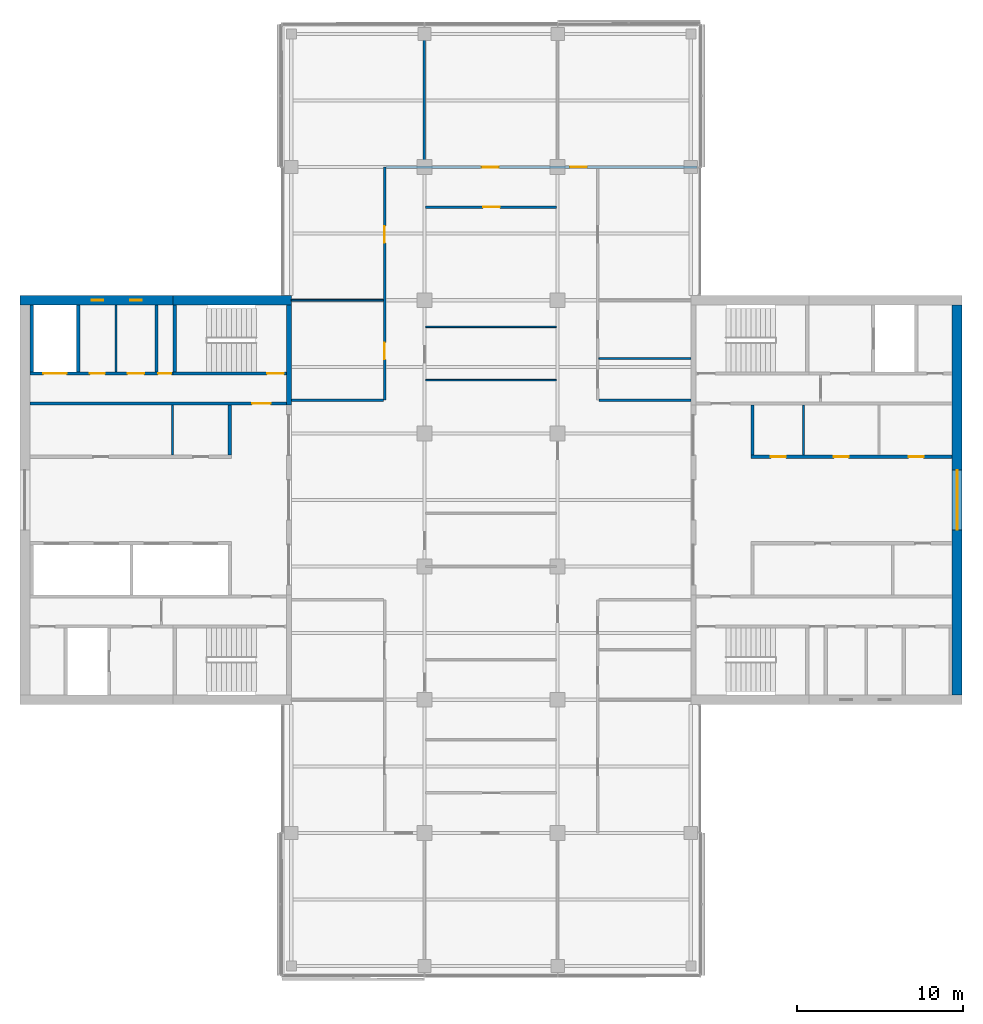
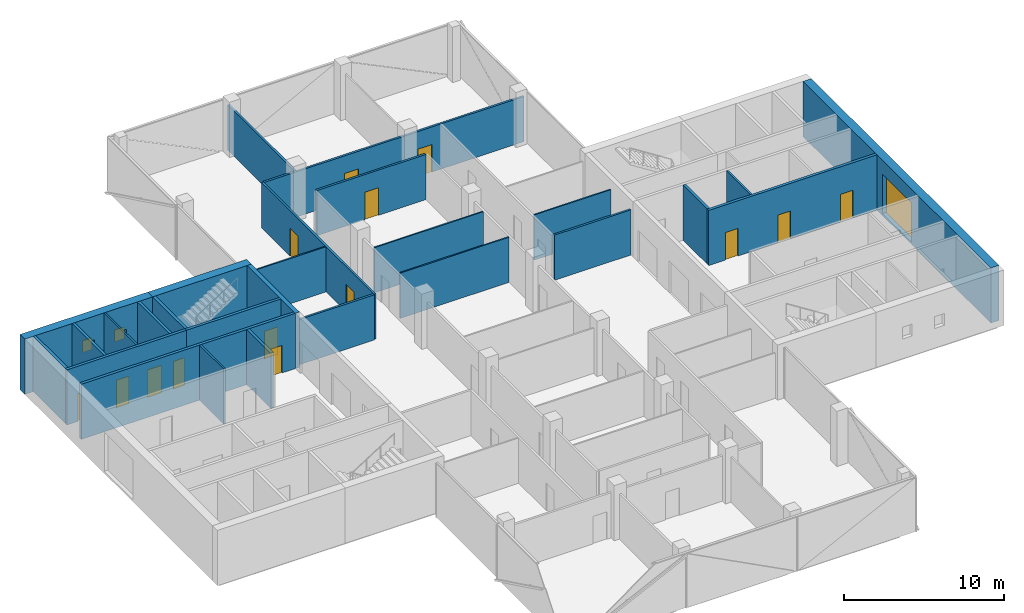
# One storey, part 11 of 15: 27 walls, 14 doors, 3 windows, 17 openings.
"""IFC4 building model written with IfcOpenShell, lengths in metres."""

from ifc_helpers import new_model, si_unit, direction, frame, frame_2d, origin, place, context, subcontext, project, spatial, rectangle, extrude, material, layer, layer_set, constituent, constituent_set, type_object, element, fill, save


model = new_model("IFC4")

# Units and contexts
model_context = context("Model", 3, precision=1e-05, world=origin(), true_north=direction((0.0, 1.0)))
body_context = subcontext(model_context, "Body", "Model", "MODEL_VIEW")
ifc_project = project(units=[si_unit("LENGTHUNIT", "METRE"), si_unit("AREAUNIT", "SQUARE_METRE"), si_unit("VOLUMEUNIT", "CUBIC_METRE"), si_unit("PLANEANGLEUNIT", "RADIAN"), si_unit("MASSUNIT", "GRAM", prefix="KILO")], contexts=[model_context])

# Site, building, storey
site_placement = place(None, origin())
site = spatial("IfcSite", under=ifc_project, at=site_placement, CompositionType="ELEMENT")
building_placement = place(site_placement, origin())
building = spatial("IfcBuilding", under=site, at=building_placement, Name="Crosswind Convention Tower", CompositionType="ELEMENT")
storey_placement = place(building_placement, frame((0.0, 0.0, 199.89990234375)))
storey = spatial("IfcBuildingStorey", under=building, at=storey_placement, Name="L42", CompositionType="ELEMENT", Elevation=199.89990234375)

# Walls
ifc_material_1 = material(Name="Concrete blockwork", Category="masonry")
ifc_layer_1 = layer(ifc_material_1, 0.199951171875)
ifc_layer_set_1 = layer_set([ifc_layer_1], Name="Blockwork partition wall 200")
wall_type_1 = type_object("IfcWallType", Name="Blockwork partition wall 200", PredefinedType="PARTITIONING", material=ifc_layer_set_1)
wall_1_placement = place(storey_placement, frame((104.89990234375, 111.699951171875, 0.0), z_axis=(0.0, 0.0, 1.0), x_axis=(0.0, -1.0, 0.0)))
element("IfcWall", 1, at=wall_1_placement, inside=storey, type_object=wall_type_1, Name="Wall MRSE W L42", PredefinedType="PARTITIONING", context=body_context, shape_type="SweptSolid", body=[
    extrude(rectangle(XDim=4.0, YDim=0.199951171875, at=frame_2d((2.0, 0.0))), origin(), (0.0, 0.0, 1.0), 4.2001953125),
])
ifc_material_2 = material(Name="Concrete C50/60", Category="concrete")
ifc_layer_2 = layer(ifc_material_2, 0.300048828125)
ifc_layer_set_2 = layer_set([ifc_layer_2], Name="Concrete C50/60")
wall_type_2 = type_object("IfcWallType", Name="Concrete inner core wall 300", PredefinedType="SHEAR", material=ifc_layer_set_2)
wall_2_placement = place(storey_placement, frame((112.85009765625, 111.699951171875, 0.0), z_axis=(0.0, 0.0, 1.0), x_axis=(0.0, -1.0, 0.0)))
element("IfcWall", 2, at=wall_2_placement, inside=storey, type_object=wall_type_2, Name="Wall EM W L42", PredefinedType="SHEAR", context=body_context, shape_type="SweptSolid", body=[
    extrude(rectangle(XDim=6.0, YDim=0.300048828125, at=frame_2d((3.0, 0.0))), origin(), (0.0, 0.0, 1.0), 4.2001953125),
])
ifc_layer_3 = layer(ifc_material_2, 0.199951171875)
ifc_layer_set_3 = layer_set([ifc_layer_3], Name="Concrete C50/60")
wall_type_3 = type_object("IfcWallType", Name="Concrete shaft and stair wall 200", PredefinedType="SHEAR", material=ifc_layer_set_3)
wall_3_placement = place(storey_placement, frame((140.699951171875, 102.699951171875, 0.0), z_axis=(0.0, 0.0, 1.0), x_axis=(0.0, 1.0, 0.0)))
element("IfcWall", 3, at=wall_3_placement, inside=storey, type_object=wall_type_3, Name="Wall RPEND E L42", PredefinedType="SHEAR", context=body_context, shape_type="SweptSolid", body=[
    extrude(rectangle(XDim=3.0, YDim=0.199951171875, at=frame_2d((1.5, 0.0))), origin(), (0.0, 0.0, 1.0), 4.2001953125),
])

# Wall, openings, doors
wall_4_placement = place(storey_placement, frame((140.60009765625, 102.60009765625, 0.0), z_axis=(0.0, 0.0, 1.0), x_axis=(1.0, 0.0, 0.0)))
wall_4 = element("IfcWall", 4, at=wall_4_placement, inside=storey, type_object=wall_type_3, Name="Wall RPFRONT E L42", PredefinedType="SHEAR", context=body_context, shape_type="SweptSolid", body=[
    extrude(rectangle(XDim=12.099853515625, YDim=0.199951171875, at=frame_2d((6.0498046875, 0.0))), origin(), (0.0, 0.0, 1.0), 4.2001953125),
])
opening_1_placement = place(wall_4_placement, frame((1.206298828125, 0.0, 0.0)))
opening_1 = element("IfcOpeningElement", 5, at=opening_1_placement, cuts=wall_4, Name="Opening D106", PredefinedType="OPENING", context=body_context, shape_type="SweptSolid", body=[
    extrude(rectangle(XDim=0.89990234375, YDim=2.10009765625, at=frame_2d((0.449951171875, 1.050048828125))), frame((0.0, 0.10986328125, 0.0), z_axis=(0.0, -1.0, 0.0), x_axis=(1.0, 0.0, 0.0)), (0.0, 0.0, 1.0), 0.219970703125),
])
opening_2_placement = place(wall_4_placement, frame((4.986083984375, 0.0, 0.0)))
opening_2 = element("IfcOpeningElement", 6, at=opening_2_placement, cuts=wall_4, Name="Opening D106", PredefinedType="OPENING", context=body_context, shape_type="SweptSolid", body=[
    extrude(rectangle(XDim=0.89990234375, YDim=2.10009765625, at=frame_2d((0.449951171875, 1.050048828125))), frame((0.0, 0.10986328125, 0.0), z_axis=(0.0, -1.0, 0.0), x_axis=(1.0, 0.0, 0.0)), (0.0, 0.0, 1.0), 0.219970703125),
])
opening_3_placement = place(wall_4_placement, frame((9.479736328125, 0.0, 0.0)))
opening_3 = element("IfcOpeningElement", 7, at=opening_3_placement, cuts=wall_4, Name="Opening D106", PredefinedType="OPENING", context=body_context, shape_type="SweptSolid", body=[
    extrude(rectangle(XDim=0.89990234375, YDim=2.10009765625, at=frame_2d((0.449951171875, 1.050048828125))), frame((0.0, 0.10986328125, 0.0), z_axis=(0.0, -1.0, 0.0), x_axis=(1.0, 0.0, 0.0)), (0.0, 0.0, 1.0), 0.219970703125),
])
ifc_material_3 = material(Name="Timber door", Category="wood")
door_type_1 = type_object("IfcDoorType", Name="Single leaf door 900x2100", OperationType="NOTDEFINED", PredefinedType="DOOR", material=ifc_material_3)
door_1_placement = place(opening_1_placement, origin())
door_1 = element("IfcDoor", 8, at=door_1_placement, inside=storey, type_object=door_type_1, Name="Door to meeting room L42", ObjectType="D106", OperationType="SINGLE_SWING_RIGHT", OverallHeight=2.10009765625, OverallWidth=0.89990234375, PredefinedType="DOOR", context=body_context, shape_type="SweptSolid", body=[
    extrude(rectangle(XDim=0.89990234375, YDim=2.10009765625, at=frame_2d((0.449951171875, 1.050048828125))), frame((0.0, 0.02490234375, 0.0), z_axis=(0.0, -1.0, 0.0), x_axis=(1.0, 0.0, 0.0)), (0.0, 0.0, 1.0), 0.050048828125),
])
fill(opening_1, door_1)
door_2_placement = place(opening_2_placement, origin())
door_2 = element("IfcDoor", 9, at=door_2_placement, inside=storey, type_object=door_type_1, Name="Door to pantry L42", ObjectType="D106", OperationType="SINGLE_SWING_RIGHT", OverallHeight=2.10009765625, OverallWidth=0.89990234375, PredefinedType="DOOR", context=body_context, shape_type="SweptSolid", body=[
    extrude(rectangle(XDim=0.89990234375, YDim=2.10009765625, at=frame_2d((0.449951171875, 1.050048828125))), frame((0.0, 0.02490234375, 0.0), z_axis=(0.0, -1.0, 0.0), x_axis=(1.0, 0.0, 0.0)), (0.0, 0.0, 1.0), 0.050048828125),
])
fill(opening_2, door_2)
door_3_placement = place(opening_3_placement, origin())
door_3 = element("IfcDoor", 10, at=door_3_placement, inside=storey, type_object=door_type_1, Name="Door to telecoms room L42", ObjectType="D106", OperationType="SINGLE_SWING_RIGHT", OverallHeight=2.10009765625, OverallWidth=0.89990234375, PredefinedType="DOOR", context=body_context, shape_type="SweptSolid", body=[
    extrude(rectangle(XDim=0.89990234375, YDim=2.10009765625, at=frame_2d((0.449951171875, 1.050048828125))), frame((0.0, 0.02490234375, 0.0), z_axis=(0.0, -1.0, 0.0), x_axis=(1.0, 0.0, 0.0)), (0.0, 0.0, 1.0), 0.050048828125),
])
fill(opening_3, door_3)

# Wall
wall_5_placement = place(storey_placement, frame((109.300048828125, 105.699951171875, 0.0), z_axis=(0.0, 0.0, 1.0), x_axis=(0.0, -1.0, 0.0)))
element("IfcWall", 11, at=wall_5_placement, inside=storey, type_object=wall_type_3, Name="Wall RMEND W L42", PredefinedType="SHEAR", context=body_context, shape_type="SweptSolid", body=[
    extrude(rectangle(XDim=3.0, YDim=0.199951171875, at=frame_2d((1.5, 0.0))), origin(), (0.0, 0.0, 1.0), 4.2001953125),
])

# Wall, opening, door
wall_6_placement = place(storey_placement, frame((112.699951171875, 105.800048828125, 0.0), z_axis=(0.0, 0.0, 1.0), x_axis=(-1.0, 0.0, 0.0)))
wall_6 = element("IfcWall", 12, at=wall_6_placement, inside=storey, type_object=wall_type_3, Name="Wall HM W L42", PredefinedType="SHEAR", context=body_context, shape_type="SweptSolid", body=[
    extrude(rectangle(XDim=15.39990234375, YDim=0.199951171875, at=frame_2d((7.699951171875, 0.0))), origin(), (0.0, 0.0, 1.0), 4.2001953125),
])
opening_4_placement = place(wall_6_placement, frame((0.949951171875, 0.0, 0.0)))
opening_4 = element("IfcOpeningElement", 13, at=opening_4_placement, cuts=wall_6, Name="Opening D104", PredefinedType="OPENING", context=body_context, shape_type="SweptSolid", body=[
    extrude(rectangle(XDim=1.10009765625, YDim=2.10009765625, at=frame_2d((0.550048828125, 1.050048828125))), frame((0.0, 0.10986328125, 0.0), z_axis=(0.0, -1.0, 0.0), x_axis=(1.0, 0.0, 0.0)), (0.0, 0.0, 1.0), 0.219970703125),
])
ifc_material_4 = material(Name="Steel fire door", Category="steel")
door_type_2 = type_object("IfcDoorType", Name="Fire-rated single door 1100x2100", OperationType="NOTDEFINED", PredefinedType="DOOR", material=ifc_material_4)
door_4_placement = place(opening_4_placement, origin())
door_4 = element("IfcDoor", 14, at=door_4_placement, inside=storey, type_object=door_type_2, Name="Corridor door L42", ObjectType="D104", OperationType="SINGLE_SWING_LEFT", OverallHeight=2.10009765625, OverallWidth=1.10009765625, PredefinedType="DOOR", context=body_context, shape_type="SweptSolid", body=[
    extrude(rectangle(XDim=1.10009765625, YDim=2.10009765625, at=frame_2d((0.550048828125, 1.050048828125))), frame((0.0, 0.02490234375, 0.0), z_axis=(0.0, -1.0, 0.0), x_axis=(1.0, 0.0, 0.0)), (0.0, 0.0, 1.0), 0.050048828125),
])
fill(opening_4, door_4)

# Walls
for number, where, z_axis, x_axis, name in (
    (15, (106.0, 111.699951171875, 0.0), (0.0, 0.0, 1.0), (0.0, -1.0, 0.0), "Wall MSE W L42"),
    (16, (100.199951171875, 111.699951171875, 0.0), (0.0, 0.0, 1.0), (0.0, -1.0, 0.0), "Wall MFSW W L42"),
    (17, (97.39990234375, 111.699951171875, 0.0), (0.0, 0.0, 1.0), (0.0, -1.0, 0.0), "Wall MFSE W L42"),
):
    element("IfcWall", number, at=place(storey_placement, frame(where, z_axis=z_axis, x_axis=x_axis)), inside=storey, type_object=wall_type_3, Name=name, PredefinedType="SHEAR", context=body_context, shape_type="SweptSolid", body=[
        extrude(rectangle(XDim=4.0, YDim=0.199951171875, at=frame_2d((2.0, 0.0))), origin(), (0.0, 0.0, 1.0), 4.2001953125),
    ])

# Wall, opening, door
wall_7_placement = place(storey_placement, frame((112.699951171875, 107.60009765625, 0.0), z_axis=(0.0, 0.0, 1.0), x_axis=(-1.0, 0.0, 0.0)))
wall_7 = element("IfcWall", 18, at=wall_7_placement, inside=storey, type_object=wall_type_3, Name="Wall MCW W L42", PredefinedType="SHEAR", context=body_context, shape_type="SweptSolid", body=[
    extrude(rectangle(XDim=6.800048828125, YDim=0.199951171875, at=frame_2d((3.39990234375, 0.0))), origin(), (0.0, 0.0, 1.0), 4.2001953125),
])
opening_5_placement = place(wall_7_placement, frame((0.14990234375, 0.0, 0.0)))
opening_5 = element("IfcOpeningElement", 19, at=opening_5_placement, cuts=wall_7, Name="Opening D103", PredefinedType="OPENING", context=body_context, shape_type="SweptSolid", body=[
    extrude(rectangle(XDim=1.0, YDim=2.10009765625, at=frame_2d((0.5, 1.050048828125))), frame((0.0, 0.10986328125, 0.0), z_axis=(0.0, -1.0, 0.0), x_axis=(1.0, 0.0, 0.0)), (0.0, 0.0, 1.0), 0.219970703125),
])
door_type_3 = type_object("IfcDoorType", Name="Fire-rated single door 1000x2100", OperationType="NOTDEFINED", PredefinedType="DOOR", material=ifc_material_4)
door_5_placement = place(opening_5_placement, frame((1.0, 0.0, 0.0), z_axis=(0.0, 0.0, 1.0), x_axis=(-1.0, 0.0, 0.0)))
door_5 = element("IfcDoor", 20, at=door_5_placement, inside=storey, type_object=door_type_3, Name="Stair ST4 door L42", ObjectType="D103", OperationType="SINGLE_SWING_RIGHT", OverallHeight=2.10009765625, OverallWidth=1.0, PredefinedType="DOOR", context=body_context, shape_type="SweptSolid", body=[
    extrude(rectangle(XDim=1.0, YDim=2.10009765625, at=frame_2d((0.5, 1.050048828125))), frame((0.0, 0.02490234375, 0.0), z_axis=(0.0, -1.0, 0.0), x_axis=(1.0, 0.0, 0.0)), (0.0, 0.0, 1.0), 0.050048828125),
])
fill(opening_5, door_5)

# Wall, openings, doors
wall_8_placement = place(storey_placement, frame((105.89990234375, 107.60009765625, 0.0), z_axis=(0.0, 0.0, 1.0), x_axis=(-1.0, 0.0, 0.0)))
wall_8 = element("IfcWall", 21, at=wall_8_placement, inside=storey, type_object=wall_type_3, Name="Wall MCX W L42", PredefinedType="SHEAR", context=body_context, shape_type="SweptSolid", body=[
    extrude(rectangle(XDim=8.599853515625, YDim=0.199951171875, at=frame_2d((4.2998046875, 0.0))), origin(), (0.0, 0.0, 1.0), 4.2001953125),
])
opening_6_placement = place(wall_8_placement, frame((0.10009765625, 0.0, 0.0)))
opening_6 = element("IfcOpeningElement", 22, at=opening_6_placement, cuts=wall_8, Name="Opening D105", PredefinedType="OPENING", context=body_context, shape_type="SweptSolid", body=[
    extrude(rectangle(XDim=0.800048828125, YDim=2.10009765625, at=frame_2d((0.39990234375, 1.050048828125))), frame((0.0, 0.10986328125, 0.0), z_axis=(0.0, -1.0, 0.0), x_axis=(1.0, 0.0, 0.0)), (0.0, 0.0, 1.0), 0.219970703125),
])
opening_7_placement = place(wall_8_placement, frame((1.73876953125, 0.0, 0.0)))
opening_7 = element("IfcOpeningElement", 23, at=opening_7_placement, cuts=wall_8, Name="Opening D103", PredefinedType="OPENING", context=body_context, shape_type="SweptSolid", body=[
    extrude(rectangle(XDim=1.0, YDim=2.10009765625, at=frame_2d((0.5, 1.050048828125))), frame((0.0, 0.10986328125, 0.0), z_axis=(0.0, -1.0, 0.0), x_axis=(1.0, 0.0, 0.0)), (0.0, 0.0, 1.0), 0.219970703125),
])
opening_8_placement = place(wall_8_placement, frame((4.101318359375, 0.0, 0.0)))
opening_8 = element("IfcOpeningElement", 24, at=opening_8_placement, cuts=wall_8, Name="Opening D106", PredefinedType="OPENING", context=body_context, shape_type="SweptSolid", body=[
    extrude(rectangle(XDim=0.89990234375, YDim=2.10009765625, at=frame_2d((0.449951171875, 1.050048828125))), frame((0.0, 0.10986328125, 0.0), z_axis=(0.0, -1.0, 0.0), x_axis=(1.0, 0.0, 0.0)), (0.0, 0.0, 1.0), 0.219970703125),
])
opening_9_placement = place(wall_8_placement, frame((6.39990234375, 0.0, 0.0)))
opening_9 = element("IfcOpeningElement", 25, at=opening_9_placement, cuts=wall_8, Name="Opening LD2", PredefinedType="OPENING", context=body_context, shape_type="SweptSolid", body=[
    extrude(rectangle(XDim=1.39990234375, YDim=2.10009765625, at=frame_2d((0.699951171875, 1.050048828125))), frame((0.0, 0.10986328125, 0.0), z_axis=(0.0, -1.0, 0.0), x_axis=(1.0, 0.0, 0.0)), (0.0, 0.0, 1.0), 0.219970703125),
])
door_6_placement = place(opening_7_placement, frame((1.0, 0.0, 0.0), z_axis=(0.0, 0.0, 1.0), x_axis=(-1.0, 0.0, 0.0)))
door_6 = element("IfcDoor", 26, at=door_6_placement, inside=storey, type_object=door_type_3, Name="Door to accessible wc L42", ObjectType="D103", OperationType="SINGLE_SWING_LEFT", OverallHeight=2.10009765625, OverallWidth=1.0, PredefinedType="DOOR", context=body_context, shape_type="SweptSolid", body=[
    extrude(rectangle(XDim=1.0, YDim=2.10009765625, at=frame_2d((0.5, 1.050048828125))), frame((0.0, 0.02490234375, 0.0), z_axis=(0.0, -1.0, 0.0), x_axis=(1.0, 0.0, 0.0)), (0.0, 0.0, 1.0), 0.050048828125),
])
fill(opening_7, door_6)
ifc_material_5 = material(Name="Stainless steel", Category="steel")
door_type_4 = type_object("IfcDoorType", Name="Lift landing door 1400x2100", OperationType="DOUBLE_DOOR_SLIDING", PredefinedType="DOOR", material=ifc_material_5)
door_7_placement = place(opening_9_placement, origin())
door_7 = element("IfcDoor", 27, at=door_7_placement, inside=storey, type_object=door_type_4, Name="Landing door SV2 L42", ObjectType="LD2", OperationType="DOUBLE_DOOR_SLIDING", OverallHeight=2.10009765625, OverallWidth=1.39990234375, PredefinedType="DOOR", context=body_context, shape_type="SweptSolid", body=[
    extrude(rectangle(XDim=1.39990234375, YDim=2.10009765625, at=frame_2d((0.699951171875, 1.050048828125))), frame((0.0, 0.02490234375, 0.0), z_axis=(0.0, -1.0, 0.0), x_axis=(1.0, 0.0, 0.0)), (0.0, 0.0, 1.0), 0.050048828125),
])
fill(opening_9, door_7)
door_type_5 = type_object("IfcDoorType", Name="Riser access door 800x2100", OperationType="NOTDEFINED", PredefinedType="DOOR", material=ifc_material_4)
door_8_placement = place(opening_6_placement, frame((0.800048828125, 0.0, 0.0), z_axis=(0.0, 0.0, 1.0), x_axis=(-1.0, 0.0, 0.0)))
door_8 = element("IfcDoor", 28, at=door_8_placement, inside=storey, type_object=door_type_5, Name="Riser door L42", ObjectType="D105", OperationType="SINGLE_SWING_LEFT", OverallHeight=2.10009765625, OverallWidth=0.800048828125, PredefinedType="DOOR", context=body_context, shape_type="SweptSolid", body=[
    extrude(rectangle(XDim=0.800048828125, YDim=2.10009765625, at=frame_2d((0.39990234375, 1.050048828125))), frame((0.0, 0.02490234375, 0.0), z_axis=(0.0, -1.0, 0.0), x_axis=(1.0, 0.0, 0.0)), (0.0, 0.0, 1.0), 0.050048828125),
])
fill(opening_6, door_8)
door_9_placement = place(opening_8_placement, frame((0.89990234375, 0.0, 0.0), z_axis=(0.0, 0.0, 1.0), x_axis=(-1.0, 0.0, 0.0)))
door_9 = element("IfcDoor", 29, at=door_9_placement, inside=storey, type_object=door_type_1, Name="Door to wc L42", ObjectType="D106", OperationType="SINGLE_SWING_LEFT", OverallHeight=2.10009765625, OverallWidth=0.89990234375, PredefinedType="DOOR", context=body_context, shape_type="SweptSolid", body=[
    extrude(rectangle(XDim=0.89990234375, YDim=2.10009765625, at=frame_2d((0.449951171875, 1.050048828125))), frame((0.0, 0.02490234375, 0.0), z_axis=(0.0, -1.0, 0.0), x_axis=(1.0, 0.0, 0.0)), (0.0, 0.0, 1.0), 0.050048828125),
])
fill(opening_8, door_9)

# Walls
ifc_material_6 = material(Name="Gypsum plasterboard partition", Category="gypsum")
ifc_layer_4 = layer(ifc_material_6, 0.125)
ifc_layer_set_4 = layer_set([ifc_layer_4], Name="Drywall partition wall 125")
wall_type_4 = type_object("IfcWallType", Name="Drywall partition wall 125", PredefinedType="PARTITIONING", material=ifc_layer_set_4)
for number, where, z_axis, x_axis, name in (
    (30, (143.77490234375, 102.699951171875, 0.0), (0.0, 0.0, 1.0), (0.0, 1.0, 0.0), "Wall RPP1 E L42"),
    (31, (105.867919921875, 105.699951171875, 0.0), (0.0, 0.0, 1.0), (0.0, -1.0, 0.0), "Wall RMP1 W L42"),
):
    element("IfcWall", number, at=place(storey_placement, frame(where, z_axis=z_axis, x_axis=x_axis)), inside=storey, type_object=wall_type_4, Name=name, PredefinedType="PARTITIONING", context=body_context, shape_type="SweptSolid", body=[
        extrude(rectangle(XDim=3.0, YDim=0.125, at=frame_2d((1.5, 0.0))), origin(), (0.0, 0.0, 1.0), 4.2001953125),
    ])
wall_9_placement = place(storey_placement, frame((102.4599609375, 111.699951171875, 0.0), z_axis=(0.0, 0.0, 1.0), x_axis=(0.0, -1.0, 0.0)))
element("IfcWall", 32, at=wall_9_placement, inside=storey, type_object=wall_type_4, Name="Wall MWP1 W L42", PredefinedType="PARTITIONING", context=body_context, shape_type="SweptSolid", body=[
    extrude(rectangle(XDim=4.0, YDim=0.125, at=frame_2d((2.0, 0.0))), origin(), (0.0, 0.0, 1.0), 4.2001953125),
])
ifc_material_7 = material(Name="Plasterboard partition", Category="gypsum")
ifc_layer_5 = layer(ifc_material_7, 0.10009765625)
ifc_layer_set_5 = layer_set([ifc_layer_5], Name="PARTITION 100 METAL STUD")
wall_type_5 = type_object("IfcWallType", Name="PARTITION 100 METAL STUD", PredefinedType="PARTITIONING", material=ifc_layer_set_5)
wall_10_placement = place(storey_placement, frame((121.074951171875, 107.199951171875, 0.0), z_axis=(0.0, 0.0, 1.0), x_axis=(1.0, 0.0, 0.0)))
element("IfcWall", 33, at=wall_10_placement, inside=storey, type_object=wall_type_5, Name="Partition wall WT40", PredefinedType="PARTITIONING", context=body_context, shape_type="SweptSolid", body=[
    extrude(rectangle(XDim=7.85009765625, YDim=0.10009765625, at=frame_2d((3.925048828125, 0.0))), origin(), (0.0, 0.0, 1.0), 3.43994140625),
])
wall_11_placement = place(storey_placement, frame((131.47509765625, 108.5, 0.0), z_axis=(0.0, 0.0, 1.0), x_axis=(1.0, 0.0, 0.0)))
element("IfcWall", 34, at=wall_11_placement, inside=storey, type_object=wall_type_5, Name="Partition wall WT40", PredefinedType="PARTITIONING", context=body_context, shape_type="SweptSolid", body=[
    extrude(rectangle(XDim=5.52490234375, YDim=0.10009765625, at=frame_2d((2.762451171875, 0.0))), origin(), (0.0, 0.0, 1.0), 3.43994140625),
])
wall_12_placement = place(storey_placement, frame((121.074951171875, 110.39990234375, 0.0), z_axis=(0.0, 0.0, 1.0), x_axis=(1.0, 0.0, 0.0)))
element("IfcWall", 35, at=wall_12_placement, inside=storey, type_object=wall_type_5, Name="Partition wall WT40", PredefinedType="PARTITIONING", context=body_context, shape_type="SweptSolid", body=[
    extrude(rectangle(XDim=7.85009765625, YDim=0.10009765625, at=frame_2d((3.925048828125, 0.0))), origin(), (0.0, 0.0, 1.0), 3.43994140625),
])
wall_13_placement = place(storey_placement, frame((113.0, 112.0, 0.0), z_axis=(0.0, 0.0, 1.0), x_axis=(1.0, 0.0, 0.0)))
element("IfcWall", 36, at=wall_13_placement, inside=storey, type_object=wall_type_5, Name="Partition wall WT40", PredefinedType="PARTITIONING", context=body_context, shape_type="SweptSolid", body=[
    extrude(rectangle(XDim=5.52490234375, YDim=0.10009765625, at=frame_2d((2.762451171875, 0.0))), origin(), (0.0, 0.0, 1.0), 3.43994140625),
])

# Wall, openings, doors
ifc_material_8 = material(Name="Fire-board partition with mineral wool", Category="gypsum")
ifc_layer_6 = layer(ifc_material_8, 0.14990234375)
ifc_layer_set_6 = layer_set([ifc_layer_6], Name="TENANCY WALL 150 TWO-HOUR BOARD")
wall_type_6 = type_object("IfcWallType", Name="TENANCY WALL 150 TWO-HOUR BOARD", PredefinedType="PARTITIONING", material=ifc_layer_set_6)
wall_14_placement = place(storey_placement, frame((118.60009765625, 106.0, 0.0), z_axis=(0.0, 0.0, 1.0), x_axis=(0.0, 1.0, 0.0)))
wall_14 = element("IfcWall", 37, at=wall_14_placement, inside=storey, type_object=wall_type_6, Name="Tenancy wall WT41", PredefinedType="PARTITIONING", context=body_context, shape_type="SweptSolid", body=[
    extrude(rectangle(XDim=14.0, YDim=0.14990234375, at=frame_2d((7.0, 0.0))), origin(), (0.0, 0.0, 1.0), 3.43994140625),
])
opening_10_placement = place(wall_14_placement, frame((2.449951171875, 0.0, 0.0)))
opening_10 = element("IfcOpeningElement", 38, at=opening_10_placement, cuts=wall_14, Name="Opening L42-56", PredefinedType="OPENING", context=body_context, shape_type="SweptSolid", body=[
    extrude(rectangle(XDim=1.0, YDim=2.10009765625, at=frame_2d((0.5, 1.050048828125))), frame((0.0, 0.0849609375, 0.0), z_axis=(0.0, -1.0, 0.0), x_axis=(1.0, 0.0, 0.0)), (0.0, 0.0, 1.0), 0.169921875),
])
opening_11_placement = place(wall_14_placement, frame((9.449951171875, 0.0, 0.0)))
opening_11 = element("IfcOpeningElement", 39, at=opening_11_placement, cuts=wall_14, Name="Opening L42-57", PredefinedType="OPENING", context=body_context, shape_type="SweptSolid", body=[
    extrude(rectangle(XDim=1.0, YDim=2.10009765625, at=frame_2d((0.5, 1.050048828125))), frame((0.0, 0.0849609375, 0.0), z_axis=(0.0, -1.0, 0.0), x_axis=(1.0, 0.0, 0.0)), (0.0, 0.0, 1.0), 0.169921875),
])
ifc_material_9 = material(Name="Timber fire door", Category="wood")
door_type_6 = type_object("IfcDoorType", Name="TENANCY ENTRANCE DOOR 1000X2100 FD30S", OperationType="NOTDEFINED", PredefinedType="DOOR", material=ifc_material_9)
door_10_placement = place(opening_10_placement, origin())
door_10 = element("IfcDoor", 40, at=door_10_placement, inside=storey, type_object=door_type_6, Name="Door L42-56", ObjectType="D41", OperationType="SINGLE_SWING_LEFT", OverallHeight=2.10009765625, OverallWidth=1.0, PredefinedType="DOOR", context=body_context, shape_type="SweptSolid", body=[
    extrude(rectangle(XDim=1.0, YDim=2.10009765625, at=frame_2d((0.5, 1.050048828125))), frame((0.0, 0.02490234375, 0.0), z_axis=(0.0, -1.0, 0.0), x_axis=(1.0, 0.0, 0.0)), (0.0, 0.0, 1.0), 0.050048828125),
])
fill(opening_10, door_10)
door_11_placement = place(opening_11_placement, origin())
door_11 = element("IfcDoor", 41, at=door_11_placement, inside=storey, type_object=door_type_6, Name="Door L42-57", ObjectType="D41", OperationType="SINGLE_SWING_LEFT", OverallHeight=2.10009765625, OverallWidth=1.0, PredefinedType="DOOR", context=body_context, shape_type="SweptSolid", body=[
    extrude(rectangle(XDim=1.0, YDim=2.10009765625, at=frame_2d((0.5, 1.050048828125))), frame((0.0, 0.02490234375, 0.0), z_axis=(0.0, -1.0, 0.0), x_axis=(1.0, 0.0, 0.0)), (0.0, 0.0, 1.0), 0.050048828125),
])
fill(opening_11, door_11)

# Walls
wall_15_placement = place(storey_placement, frame((121.0, 120.074951171875, 0.0), z_axis=(0.0, 0.0, 1.0), x_axis=(0.0, 1.0, 0.0)))
element("IfcWall", 42, at=wall_15_placement, inside=storey, type_object=wall_type_6, Name="Tenancy wall WT41", PredefinedType="PARTITIONING", context=body_context, shape_type="SweptSolid", body=[
    extrude(rectangle(XDim=8.295166015625, YDim=0.14990234375, at=frame_2d((4.1474609375, 0.0))), origin(), (0.0, 0.0, 1.0), 3.43994140625),
])
for number, where, z_axis, x_axis, name in (
    (43, (113.0, 106.0, 0.0), (0.0, 0.0, 1.0), (1.0, 0.0, 0.0), "Tenancy wall WT41"),
    (44, (131.47509765625, 106.0, 0.0), (0.0, 0.0, 1.0), (1.0, 0.0, 0.0), "Tenancy wall WT41"),
):
    element("IfcWall", number, at=place(storey_placement, frame(where, z_axis=z_axis, x_axis=x_axis)), inside=storey, type_object=wall_type_6, Name=name, PredefinedType="PARTITIONING", context=body_context, shape_type="SweptSolid", body=[
        extrude(rectangle(XDim=5.52490234375, YDim=0.14990234375, at=frame_2d((2.762451171875, 0.0))), origin(), (0.0, 0.0, 1.0), 3.43994140625),
    ])

# Wall, opening, door
wall_16_placement = place(storey_placement, frame((121.074951171875, 117.60009765625, 0.0), z_axis=(0.0, 0.0, 1.0), x_axis=(1.0, 0.0, 0.0)))
wall_16 = element("IfcWall", 45, at=wall_16_placement, inside=storey, type_object=wall_type_6, Name="Tenancy wall WT41", PredefinedType="PARTITIONING", context=body_context, shape_type="SweptSolid", body=[
    extrude(rectangle(XDim=7.85009765625, YDim=0.14990234375, at=frame_2d((3.925048828125, 0.0))), origin(), (0.0, 0.0, 1.0), 3.43994140625),
])
opening_12_placement = place(wall_16_placement, frame((3.449951171875, 0.0, 0.0)))
opening_12 = element("IfcOpeningElement", 46, at=opening_12_placement, cuts=wall_16, Name="Opening L42-70", PredefinedType="OPENING", context=body_context, shape_type="SweptSolid", body=[
    extrude(rectangle(XDim=1.0, YDim=2.10009765625, at=frame_2d((0.5, 1.050048828125))), frame((0.0, 0.0849609375, 0.0), z_axis=(0.0, -1.0, 0.0), x_axis=(1.0, 0.0, 0.0)), (0.0, 0.0, 1.0), 0.169921875),
])
door_12_placement = place(opening_12_placement, frame((1.0, 0.0, 0.0), z_axis=(0.0, 0.0, 1.0), x_axis=(-1.0, 0.0, 0.0)))
door_12 = element("IfcDoor", 47, at=door_12_placement, inside=storey, type_object=door_type_6, Name="Door L42-70", ObjectType="D41", OperationType="SINGLE_SWING_LEFT", OverallHeight=2.10009765625, OverallWidth=1.0, PredefinedType="DOOR", context=body_context, shape_type="SweptSolid", body=[
    extrude(rectangle(XDim=1.0, YDim=2.10009765625, at=frame_2d((0.5, 1.050048828125))), frame((0.0, 0.02490234375, 0.0), z_axis=(0.0, -1.0, 0.0), x_axis=(1.0, 0.0, 0.0)), (0.0, 0.0, 1.0), 0.050048828125),
])
fill(opening_12, door_12)

# Wall, openings, doors
wall_17_placement = place(storey_placement, frame((118.675048828125, 120.0, 0.0), z_axis=(0.0, 0.0, 1.0), x_axis=(1.0, 0.0, 0.0)))
wall_17 = element("IfcWall", 48, at=wall_17_placement, inside=storey, type_object=wall_type_6, Name="Tenancy wall WT41", PredefinedType="PARTITIONING", context=body_context, shape_type="SweptSolid", body=[
    extrude(rectangle(XDim=18.695068359375, YDim=0.14990234375, at=frame_2d((9.34765625, 0.0))), origin(), (0.0, 0.0, 1.0), 3.43994140625),
])
opening_13_placement = place(wall_17_placement, frame((5.77490234375, 0.0, 0.0)))
opening_13 = element("IfcOpeningElement", 49, at=opening_13_placement, cuts=wall_17, Name="Opening L42-60", PredefinedType="OPENING", context=body_context, shape_type="SweptSolid", body=[
    extrude(rectangle(XDim=1.0, YDim=2.10009765625, at=frame_2d((0.5, 1.050048828125))), frame((0.0, 0.0849609375, 0.0), z_axis=(0.0, -1.0, 0.0), x_axis=(1.0, 0.0, 0.0)), (0.0, 0.0, 1.0), 0.169921875),
])
opening_14_placement = place(wall_17_placement, frame((11.074951171875, 0.0, 0.0)))
opening_14 = element("IfcOpeningElement", 50, at=opening_14_placement, cuts=wall_17, Name="Opening L42-61", PredefinedType="OPENING", context=body_context, shape_type="SweptSolid", body=[
    extrude(rectangle(XDim=1.0, YDim=2.10009765625, at=frame_2d((0.5, 1.050048828125))), frame((0.0, 0.0849609375, 0.0), z_axis=(0.0, -1.0, 0.0), x_axis=(1.0, 0.0, 0.0)), (0.0, 0.0, 1.0), 0.169921875),
])
door_13_placement = place(opening_13_placement, origin())
door_13 = element("IfcDoor", 51, at=door_13_placement, inside=storey, type_object=door_type_6, Name="Door L42-60", ObjectType="D41", OperationType="SINGLE_SWING_LEFT", OverallHeight=2.10009765625, OverallWidth=1.0, PredefinedType="DOOR", context=body_context, shape_type="SweptSolid", body=[
    extrude(rectangle(XDim=1.0, YDim=2.10009765625, at=frame_2d((0.5, 1.050048828125))), frame((0.0, 0.02490234375, 0.0), z_axis=(0.0, -1.0, 0.0), x_axis=(1.0, 0.0, 0.0)), (0.0, 0.0, 1.0), 0.050048828125),
])
fill(opening_13, door_13)
door_14_placement = place(opening_14_placement, frame((1.0, 0.0, 0.0), z_axis=(0.0, 0.0, 1.0), x_axis=(-1.0, 0.0, 0.0)))
door_14 = element("IfcDoor", 52, at=door_14_placement, inside=storey, type_object=door_type_6, Name="Door L42-61", ObjectType="D41", OperationType="SINGLE_SWING_RIGHT", OverallHeight=2.10009765625, OverallWidth=1.0, PredefinedType="DOOR", context=body_context, shape_type="SweptSolid", body=[
    extrude(rectangle(XDim=1.0, YDim=2.10009765625, at=frame_2d((0.5, 1.050048828125))), frame((0.0, 0.02490234375, 0.0), z_axis=(0.0, -1.0, 0.0), x_axis=(1.0, 0.0, 0.0)), (0.0, 0.0, 1.0), 0.050048828125),
])
fill(opening_14, door_14)

# Wall, opening, window
ifc_material_10 = material(Name="Concrete C60/75", Category="concrete")
ifc_constituent_1 = constituent(ifc_material_10, Name="Structure")
ifc_material_11 = material(Name="Terracotta rainscreen", Category="ceramic")
ifc_constituent_2 = constituent(ifc_material_11, Name="Facing")
ifc_constituent_set = constituent_set(constituents=[ifc_constituent_1, ifc_constituent_2], Name="Concrete C60/75, Terracotta rainscreen")
wall_type_7 = type_object("IfcWallType", Name="Terracotta rainscreen on concrete core wall 600", PredefinedType="SHEAR", material=ifc_constituent_set)
wall_18_placement = place(storey_placement, frame((153.0, 88.300048828125, 0.0), z_axis=(0.0, 0.0, 1.0), x_axis=(0.0, 1.0, 0.0)))
wall_18 = element("IfcWall", 53, at=wall_18_placement, inside=storey, type_object=wall_type_7, Name="Wall O E L42", PredefinedType="SHEAR", context=body_context, shape_type="SweptSolid", body=[
    extrude(rectangle(XDim=23.39990234375, YDim=0.60009765625, at=frame_2d((11.699951171875, 0.0))), origin(), (0.0, 0.0, 1.0), 4.2001953125),
])
opening_15_placement = place(wall_18_placement, frame((9.89990234375, 0.0, 0.14990234375)))
opening_15 = element("IfcOpeningElement", 54, at=opening_15_placement, cuts=wall_18, Name="Opening W1", PredefinedType="OPENING", context=body_context, shape_type="SweptSolid", body=[
    extrude(rectangle(XDim=3.60009765625, YDim=3.0, at=frame_2d((1.800048828125, 1.5))), frame((0.0, 0.31005859375, 0.0), z_axis=(0.0, -1.0, 0.0), x_axis=(1.0, 0.0, 0.0)), (0.0, 0.0, 1.0), 0.6201171875),
])
ifc_material_12 = material(Name="Clear laminated glass in aluminium frame", Category="aluminium")
window_type_1 = type_object("IfcWindowType", Name="Lobby end window 3600x3000", PartitioningType="SINGLE_PANEL", PredefinedType="WINDOW", material=ifc_material_12)
window_1_placement = place(opening_15_placement, origin())
window_1 = element("IfcWindow", 55, at=window_1_placement, inside=storey, type_object=window_type_1, Name="Lobby end window L42", ObjectType="W1", OverallHeight=3.0, OverallWidth=3.60009765625, PartitioningType="SINGLE_PANEL", PredefinedType="WINDOW", context=body_context, shape_type="SweptSolid", body=[
    extrude(rectangle(XDim=3.60009765625, YDim=3.0, at=frame_2d((1.800048828125, 1.5))), frame((0.0, 0.030029296875, 0.0), z_axis=(0.0, -1.0, 0.0), x_axis=(1.0, 0.0, 0.0)), (0.0, 0.0, 1.0), 0.06005859375),
])
fill(opening_15, window_1)

# Wall
wall_19_placement = place(storey_placement, frame((113.0, 112.0, 0.0), z_axis=(0.0, 0.0, 1.0), x_axis=(-1.0, 0.0, 0.0)))
element("IfcWall", 56, at=wall_19_placement, inside=storey, type_object=wall_type_7, Name="Wall S1 W L42", PredefinedType="SHEAR", context=body_context, shape_type="SweptSolid", body=[
    extrude(rectangle(XDim=7.10009765625, YDim=0.60009765625, at=frame_2d((3.550048828125, 0.0))), origin(), (0.0, 0.0, 1.0), 4.2001953125),
])

# Wall, openings, windows
wall_20_placement = place(storey_placement, frame((105.89990234375, 112.0, 0.0), z_axis=(0.0, 0.0, 1.0), x_axis=(-1.0, 0.0, 0.0)))
wall_20 = element("IfcWall", 57, at=wall_20_placement, inside=storey, type_object=wall_type_7, Name="Wall S2 W L42", PredefinedType="SHEAR", context=body_context, shape_type="SweptSolid", body=[
    extrude(rectangle(XDim=9.199951171875, YDim=0.60009765625, at=frame_2d((4.60009765625, 0.0))), origin(), (0.0, 0.0, 1.0), 4.2001953125),
])
opening_16_placement = place(wall_20_placement, frame((1.888671875, 0.0, 1.5)))
opening_16 = element("IfcOpeningElement", 58, at=opening_16_placement, cuts=wall_20, Name="Opening W2", PredefinedType="OPENING", context=body_context, shape_type="SweptSolid", body=[
    extrude(rectangle(XDim=0.699951171875, YDim=0.89990234375, at=frame_2d((0.35009765625, 0.449951171875))), frame((0.0, 0.31005859375, 0.0), z_axis=(0.0, -1.0, 0.0), x_axis=(1.0, 0.0, 0.0)), (0.0, 0.0, 1.0), 0.6201171875),
])
opening_17_placement = place(wall_20_placement, frame((4.201171875, 0.0, 1.5)))
opening_17 = element("IfcOpeningElement", 59, at=opening_17_placement, cuts=wall_20, Name="Opening W2", PredefinedType="OPENING", context=body_context, shape_type="SweptSolid", body=[
    extrude(rectangle(XDim=0.699951171875, YDim=0.89990234375, at=frame_2d((0.35009765625, 0.449951171875))), frame((0.0, 0.31005859375, 0.0), z_axis=(0.0, -1.0, 0.0), x_axis=(1.0, 0.0, 0.0)), (0.0, 0.0, 1.0), 0.6201171875),
])
ifc_material_13 = material(Name="Obscure glass in aluminium frame", Category="aluminium")
window_type_2 = type_object("IfcWindowType", Name="WC window 700x900", PartitioningType="SINGLE_PANEL", PredefinedType="WINDOW", material=ifc_material_13)
window_2_placement = place(opening_16_placement, origin())
window_2 = element("IfcWindow", 60, at=window_2_placement, inside=storey, type_object=window_type_2, Name="WC window L42", ObjectType="W2", OverallHeight=0.89990234375, OverallWidth=0.699951171875, PartitioningType="SINGLE_PANEL", PredefinedType="WINDOW", context=body_context, shape_type="SweptSolid", body=[
    extrude(rectangle(XDim=0.699951171875, YDim=0.89990234375, at=frame_2d((0.35009765625, 0.449951171875))), frame((0.0, 0.030029296875, 0.0), z_axis=(0.0, -1.0, 0.0), x_axis=(1.0, 0.0, 0.0)), (0.0, 0.0, 1.0), 0.06005859375),
])
fill(opening_16, window_2)
window_3_placement = place(opening_17_placement, origin())
window_3 = element("IfcWindow", 61, at=window_3_placement, inside=storey, type_object=window_type_2, Name="WC window L42", ObjectType="W2", OverallHeight=0.89990234375, OverallWidth=0.699951171875, PartitioningType="SINGLE_PANEL", PredefinedType="WINDOW", context=body_context, shape_type="SweptSolid", body=[
    extrude(rectangle(XDim=0.699951171875, YDim=0.89990234375, at=frame_2d((0.35009765625, 0.449951171875))), frame((0.0, 0.030029296875, 0.0), z_axis=(0.0, -1.0, 0.0), x_axis=(1.0, 0.0, 0.0)), (0.0, 0.0, 1.0), 0.06005859375),
])
fill(opening_17, window_3)

save(model, "model.ifc")
